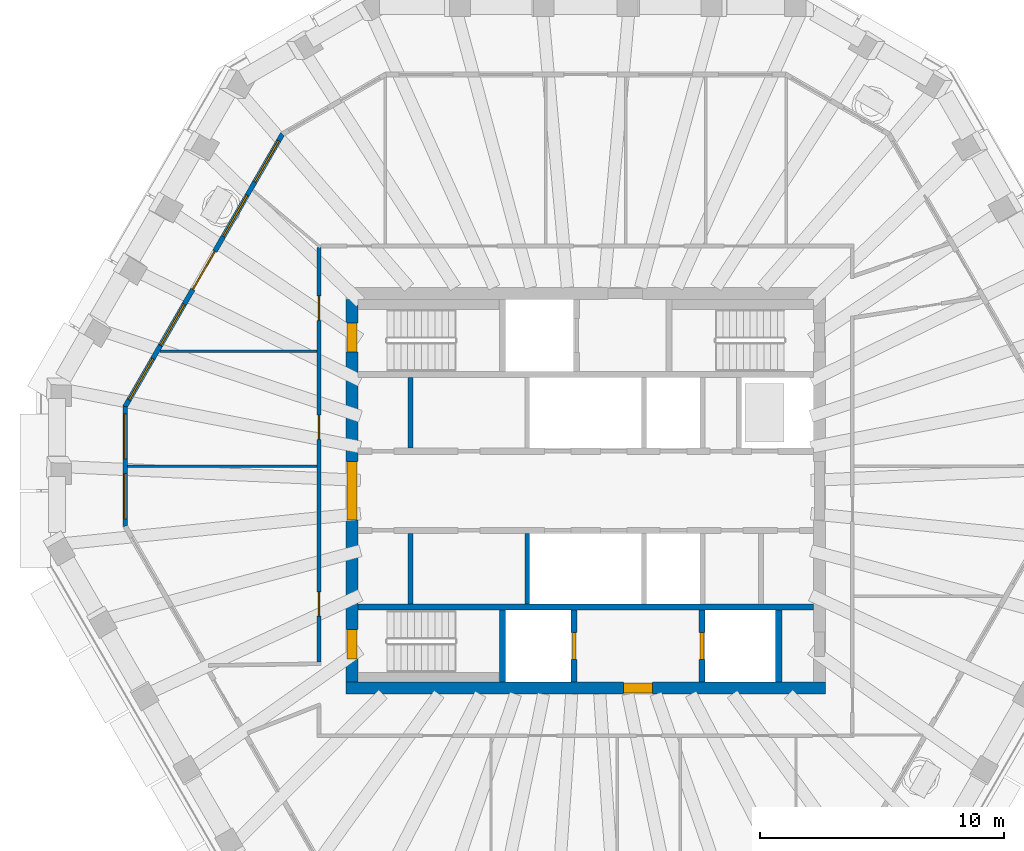
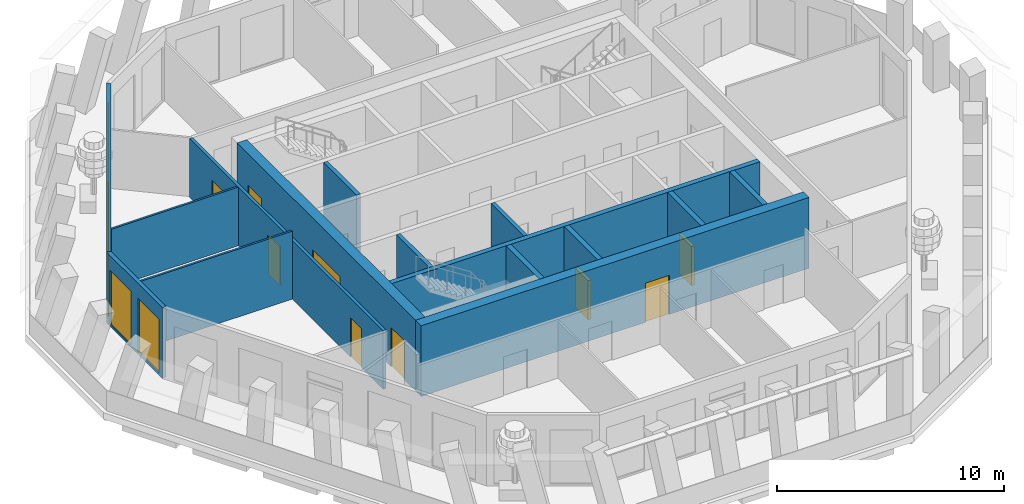
# One storey, part 4 of 11: 15 walls, 10 doors, 7 windows, 17 openings.
"""IFC4 building model written with IfcOpenShell, lengths in metres."""

from ifc_helpers import new_model, si_unit, direction, frame, frame_2d, origin, place, context, subcontext, project, spatial, polyline, rectangle, outline, extrude, material, layer, layer_set, type_object, element, fill, save


model = new_model("IFC4")

# Units and contexts
model_context = context("Model", 3, precision=1e-05, world=origin(), true_north=direction((0.0, 1.0)))
body_context = subcontext(model_context, "Body", "Model", "MODEL_VIEW")
ifc_project = project(units=[si_unit("LENGTHUNIT", "METRE"), si_unit("AREAUNIT", "SQUARE_METRE"), si_unit("VOLUMEUNIT", "CUBIC_METRE"), si_unit("PLANEANGLEUNIT", "RADIAN"), si_unit("MASSUNIT", "GRAM", prefix="KILO")], contexts=[model_context])

# Site, building, storey
site_placement = place(None, origin())
site = spatial("IfcSite", under=ifc_project, at=site_placement, CompositionType="ELEMENT")
building_placement = place(site_placement, origin())
building = spatial("IfcBuilding", under=site, at=building_placement, Name="Frailejon Research Tower", CompositionType="ELEMENT")
storey_placement = place(building_placement, frame((0.0, 0.0, 340.60009765625)))
storey = spatial("IfcBuildingStorey", under=building, at=storey_placement, Name="L76", CompositionType="ELEMENT", Elevation=340.60009765625)

# Wall, opening, door
ifc_material_1 = material(Name="Concrete C50/60", Category="concrete")
ifc_layer_1 = layer(ifc_material_1, 0.5)
ifc_layer_set_1 = layer_set([ifc_layer_1], Name="Core shear wall 500 C50/60")
wall_type_1 = type_object("IfcWallType", Name="Core shear wall 500 C50/60", PredefinedType="SHEAR", material=ifc_layer_set_1)
wall_1_placement = place(storey_placement, frame((-9.85009765625, -8.10009765625, 0.0), z_axis=(0.0, 0.0, 1.0), x_axis=(1.0, 0.0, 0.0)))
wall_1 = element("IfcWall", 1, at=wall_1_placement, inside=storey, type_object=wall_type_1, Name="Core shear wall", PredefinedType="SHEAR", context=body_context, shape_type="SweptSolid", body=[
    extrude(rectangle(XDim=19.7001953125, YDim=0.5, at=frame_2d((9.85009765625, 0.0))), origin(), (0.0, 0.0, 1.0), 3.7998046875),
])
opening_1_placement = place(wall_1_placement, frame((11.39990234375, 0.0, 0.0)))
opening_1 = element("IfcOpeningElement", 2, at=opening_1_placement, cuts=wall_1, Name="Opening D3", PredefinedType="OPENING", context=body_context, shape_type="SweptSolid", body=[
    extrude(rectangle(XDim=1.199951171875, YDim=2.10009765625, at=frame_2d((0.60009765625, 1.050048828125))), frame((0.0, 0.260009765625, 0.0), z_axis=(0.0, -1.0, 0.0), x_axis=(1.0, 0.0, 0.0)), (0.0, 0.0, 1.0), 0.52001953125),
])
ifc_material_2 = material(Name="Steel", Category="steel")
door_type_1 = type_object("IfcDoorType", Name="Firefighting lobby door", OperationType="SINGLE_SWING_LEFT", PredefinedType="DOOR", material=ifc_material_2)
door_1_placement = place(opening_1_placement, origin())
door_1 = element("IfcDoor", 3, at=door_1_placement, inside=storey, type_object=door_type_1, Name="Firefighting lobby door", OperationType="SINGLE_SWING_LEFT", OverallHeight=2.10009765625, OverallWidth=1.199951171875, PredefinedType="DOOR", context=body_context, shape_type="SweptSolid", body=[
    extrude(rectangle(XDim=1.199951171875, YDim=2.10009765625, at=frame_2d((0.60009765625, 1.050048828125))), frame((0.0, 0.199951171875, 0.0), z_axis=(0.0, -1.0, 0.0), x_axis=(1.0, 0.0, 0.0)), (0.0, 0.0, 1.0), 0.39990234375),
])
fill(opening_1, door_1)

# Wall, openings, doors
wall_2_placement = place(storey_placement, frame((-9.60009765625, -7.85009765625, 0.0), z_axis=(0.0, 0.0, 1.0), x_axis=(0.0, 1.0, 0.0)))
wall_2 = element("IfcWall", 4, at=wall_2_placement, inside=storey, type_object=wall_type_1, Name="Core shear wall", PredefinedType="SHEAR", context=body_context, shape_type="SweptSolid", body=[
    extrude(rectangle(XDim=15.7001953125, YDim=0.5, at=frame_2d((7.85009765625, 0.0))), origin(), (0.0, 0.0, 1.0), 3.7998046875),
])
opening_2_placement = place(wall_2_placement, frame((6.64990234375, 0.0, 0.0)))
opening_2 = element("IfcOpeningElement", 5, at=opening_2_placement, cuts=wall_2, Name="Opening D2", PredefinedType="OPENING", context=body_context, shape_type="SweptSolid", body=[
    extrude(rectangle(XDim=2.39990234375, YDim=2.10009765625, at=frame_2d((1.199951171875, 1.050048828125))), frame((0.0, 0.260009765625, 0.0), z_axis=(0.0, -1.0, 0.0), x_axis=(1.0, 0.0, 0.0)), (0.0, 0.0, 1.0), 0.52001953125),
])
opening_3_placement = place(wall_2_placement, frame((13.550048828125, 0.0, 0.0)))
opening_3 = element("IfcOpeningElement", 6, at=opening_3_placement, cuts=wall_2, Name="Opening D1", PredefinedType="OPENING", context=body_context, shape_type="SweptSolid", body=[
    extrude(rectangle(XDim=1.199951171875, YDim=2.10009765625, at=frame_2d((0.60009765625, 1.050048828125))), frame((0.0, 0.260009765625, 0.0), z_axis=(0.0, -1.0, 0.0), x_axis=(1.0, 0.0, 0.0)), (0.0, 0.0, 1.0), 0.52001953125),
])
opening_4_placement = place(wall_2_placement, frame((0.949951171875, 0.0, 0.0)))
opening_4 = element("IfcOpeningElement", 7, at=opening_4_placement, cuts=wall_2, Name="Opening D1", PredefinedType="OPENING", context=body_context, shape_type="SweptSolid", body=[
    extrude(rectangle(XDim=1.199951171875, YDim=2.10009765625, at=frame_2d((0.60009765625, 1.050048828125))), frame((0.0, 0.260009765625, 0.0), z_axis=(0.0, -1.0, 0.0), x_axis=(1.0, 0.0, 0.0)), (0.0, 0.0, 1.0), 0.52001953125),
])
ifc_material_3 = material(Name="Steel", Category="steel")
door_type_2 = type_object("IfcDoorType", Name="Lobby double door", OperationType="DOUBLE_DOOR_SINGLE_SWING", PredefinedType="DOOR", material=ifc_material_3)
door_2_placement = place(opening_2_placement, origin())
door_2 = element("IfcDoor", 8, at=door_2_placement, inside=storey, type_object=door_type_2, Name="Lobby door", OperationType="DOUBLE_DOOR_SINGLE_SWING", OverallHeight=2.10009765625, OverallWidth=2.39990234375, PredefinedType="DOOR", context=body_context, shape_type="SweptSolid", body=[
    extrude(rectangle(XDim=2.39990234375, YDim=2.10009765625, at=frame_2d((1.199951171875, 1.050048828125))), frame((0.0, 0.199951171875, 0.0), z_axis=(0.0, -1.0, 0.0), x_axis=(1.0, 0.0, 0.0)), (0.0, 0.0, 1.0), 0.39990234375),
])
fill(opening_2, door_2)
ifc_material_4 = material(Name="Steel", Category="steel")
door_type_3 = type_object("IfcDoorType", Name="Stair door", OperationType="SINGLE_SWING_LEFT", PredefinedType="DOOR", material=ifc_material_4)
door_3_placement = place(opening_3_placement, origin())
door_3 = element("IfcDoor", 9, at=door_3_placement, inside=storey, type_object=door_type_3, Name="Stair door ST1", OperationType="SINGLE_SWING_RIGHT", OverallHeight=2.10009765625, OverallWidth=1.199951171875, PredefinedType="DOOR", context=body_context, shape_type="SweptSolid", body=[
    extrude(rectangle(XDim=1.199951171875, YDim=2.10009765625, at=frame_2d((0.60009765625, 1.050048828125))), frame((0.0, 0.199951171875, 0.0), z_axis=(0.0, -1.0, 0.0), x_axis=(1.0, 0.0, 0.0)), (0.0, 0.0, 1.0), 0.39990234375),
])
fill(opening_3, door_3)
door_4_placement = place(opening_4_placement, origin())
door_4 = element("IfcDoor", 10, at=door_4_placement, inside=storey, type_object=door_type_3, Name="Stair door ST2", OperationType="SINGLE_SWING_LEFT", OverallHeight=2.10009765625, OverallWidth=1.199951171875, PredefinedType="DOOR", context=body_context, shape_type="SweptSolid", body=[
    extrude(rectangle(XDim=1.199951171875, YDim=2.10009765625, at=frame_2d((0.60009765625, 1.050048828125))), frame((0.0, 0.199951171875, 0.0), z_axis=(0.0, -1.0, 0.0), x_axis=(1.0, 0.0, 0.0)), (0.0, 0.0, 1.0), 0.39990234375),
])
fill(opening_4, door_4)

ifc_material_5 = material(Name="Gypsum board and masonry partition", Category="masonry")
ifc_layer_2 = layer(ifc_material_5, 0.14990234375)
ifc_layer_set_2 = layer_set([ifc_layer_2], Name="Corridor wall EI 60, gypsum on steel studs 150")
wall_type_2 = type_object("IfcWallType", Name="Corridor wall EI 60, gypsum on steel studs 150", PredefinedType="PARTITIONING", material=ifc_layer_set_2)
wall_3_placement = place(storey_placement, frame((-10.949951171875, -7.02490234375, 0.0), z_axis=(0.0, 0.0, 1.0), x_axis=(0.0, 1.0, 0.0)))
wall_3 = element("IfcWall", 11, at=wall_3_placement, inside=storey, type_object=wall_type_2, Name="T:IW:L76:007", PredefinedType="PARTITIONING", context=body_context, shape_type="SweptSolid", body=[
    extrude(rectangle(XDim=17.02490234375, YDim=0.14990234375, at=frame_2d((8.512451171875, 0.0))), origin(), (0.0, 0.0, 1.0), 3.14990234375),
])
opening_5_placement = place(wall_3_placement, frame((14.024658203125, 0.0, 0.0)))
opening_5 = element("IfcOpeningElement", 12, at=opening_5_placement, cuts=wall_3, Name="Opening D2421", PredefinedType="OPENING", context=body_context, shape_type="SweptSolid", body=[
    extrude(rectangle(XDim=1.0, YDim=2.10009765625, at=frame_2d((0.5, 1.050048828125))), frame((0.0, 0.0849609375, 0.0), z_axis=(0.0, -1.0, 0.0), x_axis=(1.0, 0.0, 0.0)), (0.0, 0.0, 1.0), 0.169921875),
])
opening_6_placement = place(wall_3_placement, frame((9.1376953125, 0.0, 0.0)))
opening_6 = element("IfcOpeningElement", 13, at=opening_6_placement, cuts=wall_3, Name="Opening D2422", PredefinedType="OPENING", context=body_context, shape_type="SweptSolid", body=[
    extrude(rectangle(XDim=1.0, YDim=2.10009765625, at=frame_2d((0.5, 1.050048828125))), frame((0.0, 0.0849609375, 0.0), z_axis=(0.0, -1.0, 0.0), x_axis=(1.0, 0.0, 0.0)), (0.0, 0.0, 1.0), 0.169921875),
])
opening_7_placement = place(wall_3_placement, frame((1.87646484375, 0.0, 0.0)))
opening_7 = element("IfcOpeningElement", 14, at=opening_7_placement, cuts=wall_3, Name="Opening D2423", PredefinedType="OPENING", context=body_context, shape_type="SweptSolid", body=[
    extrude(rectangle(XDim=1.0, YDim=2.10009765625, at=frame_2d((0.5, 1.050048828125))), frame((0.0, 0.0849609375, 0.0), z_axis=(0.0, -1.0, 0.0), x_axis=(1.0, 0.0, 0.0)), (0.0, 0.0, 1.0), 0.169921875),
])
ifc_material_6 = material(Name="Timber door leaf", Category="wood")
door_type_4 = type_object("IfcDoorType", Name="Door single leaf, timber, steel frame 1000", OperationType="NOTDEFINED", PredefinedType="DOOR", material=ifc_material_6)
door_5_placement = place(opening_5_placement, origin())
door_5 = element("IfcDoor", 15, at=door_5_placement, inside=storey, type_object=door_type_4, Name="D2421", OperationType="SINGLE_SWING_LEFT", OverallHeight=2.10009765625, OverallWidth=1.0, PredefinedType="DOOR", context=body_context, shape_type="SweptSolid", body=[
    extrude(rectangle(XDim=1.0, YDim=2.10009765625, at=frame_2d((0.5, 1.050048828125))), frame((0.0, 0.02490234375, 0.0), z_axis=(0.0, -1.0, 0.0), x_axis=(1.0, 0.0, 0.0)), (0.0, 0.0, 1.0), 0.050048828125),
])
fill(opening_5, door_5)
door_6_placement = place(opening_6_placement, origin())
door_6 = element("IfcDoor", 16, at=door_6_placement, inside=storey, type_object=door_type_4, Name="D2422", OperationType="SINGLE_SWING_LEFT", OverallHeight=2.10009765625, OverallWidth=1.0, PredefinedType="DOOR", context=body_context, shape_type="SweptSolid", body=[
    extrude(rectangle(XDim=1.0, YDim=2.10009765625, at=frame_2d((0.5, 1.050048828125))), frame((0.0, 0.02490234375, 0.0), z_axis=(0.0, -1.0, 0.0), x_axis=(1.0, 0.0, 0.0)), (0.0, 0.0, 1.0), 0.050048828125),
])
fill(opening_6, door_6)
door_7_placement = place(opening_7_placement, origin())
door_7 = element("IfcDoor", 17, at=door_7_placement, inside=storey, type_object=door_type_4, Name="D2423", OperationType="SINGLE_SWING_LEFT", OverallHeight=2.10009765625, OverallWidth=1.0, PredefinedType="DOOR", context=body_context, shape_type="SweptSolid", body=[
    extrude(rectangle(XDim=1.0, YDim=2.10009765625, at=frame_2d((0.5, 1.050048828125))), frame((0.0, 0.02490234375, 0.0), z_axis=(0.0, -1.0, 0.0), x_axis=(1.0, 0.0, 0.0)), (0.0, 0.0, 1.0), 0.050048828125),
])
fill(opening_7, door_7)

# Walls
ifc_material_7 = material(Name="Gypsum board and masonry partition", Category="masonry")
ifc_layer_3 = layer(ifc_material_7, 0.10009765625)
ifc_layer_set_3 = layer_set([ifc_layer_3], Name="Partition, gypsum on steel studs 100")
wall_type_3 = type_object("IfcWallType", Name="Partition, gypsum on steel studs 100", PredefinedType="PARTITIONING", material=ifc_layer_set_3)
wall_4_placement = place(storey_placement, frame((-18.80810546875, 1.005615234375, 0.0), z_axis=(0.0, 0.0, 1.0), x_axis=(1.0, 0.0, 0.0)))
element("IfcWall", 18, at=wall_4_placement, inside=storey, type_object=wall_type_3, Name="T:IW:L76:011", PredefinedType="PARTITIONING", context=body_context, shape_type="SweptSolid", body=[
    extrude(rectangle(XDim=7.783203125, YDim=0.10009765625, at=frame_2d((3.8916015625, 0.0))), origin(), (0.0, 0.0, 1.0), 3.64990234375),
])
wall_5_placement = place(storey_placement, frame((-17.480712890625, 5.734130859375, 0.0), z_axis=(0.0, 0.0, 1.0), x_axis=(1.0, 0.0, 0.0)))
element("IfcWall", 19, at=wall_5_placement, inside=storey, type_object=wall_type_3, Name="T:IW:L76:019", PredefinedType="PARTITIONING", context=body_context, shape_type="SweptSolid", body=[
    extrude(rectangle(XDim=6.455810546875, YDim=0.10009765625, at=frame_2d((3.22802734375, 0.0))), origin(), (0.0, 0.0, 1.0), 3.14990234375),
])
ifc_material_8 = material(Name="Concrete C50/60", Category="concrete")
ifc_layer_4 = layer(ifc_material_8, 0.199951171875)
ifc_layer_set_4 = layer_set([ifc_layer_4], Name="Shaft wall 200 C50/60")
wall_type_4 = type_object("IfcWallType", Name="Shaft wall 200 C50/60", PredefinedType="SOLIDWALL", material=ifc_layer_set_4)
for number, where, z_axis, x_axis, name in (
    (20, (-7.199951171875, 1.75, 0.0), (0.0, 0.0, 1.0), (0.0, 1.0, 0.0), "Shaft wall"),
    (21, (-7.199951171875, -4.64990234375, 0.0), (0.0, 0.0, 1.0), (0.0, 1.0, 0.0), "Shaft wall"),
    (22, (-2.39990234375, -4.64990234375, 0.0), (0.0, 0.0, 1.0), (0.0, 1.0, 0.0), "Shaft wall"),
):
    element("IfcWall", number, at=place(storey_placement, frame(where, z_axis=z_axis, x_axis=x_axis)), inside=storey, type_object=wall_type_4, Name=name, PredefinedType="SOLIDWALL", context=body_context, shape_type="SweptSolid", body=[
        extrude(rectangle(XDim=2.89990234375, YDim=0.199951171875, at=frame_2d((1.449951171875, 0.0))), origin(), (0.0, 0.0, 1.0), 3.7998046875),
    ])
ifc_material_9 = material(Name="Concrete C50/60", Category="concrete")
ifc_layer_5 = layer(ifc_material_9, 0.25)
ifc_layer_set_5 = layer_set([ifc_layer_5], Name="Shaft wall 250 C50/60")
wall_type_5 = type_object("IfcWallType", Name="Shaft wall 250 C50/60", PredefinedType="SOLIDWALL", material=ifc_layer_set_5)
wall_6_placement = place(storey_placement, frame((-9.35009765625, -4.77490234375, 0.0), z_axis=(0.0, 0.0, 1.0), x_axis=(1.0, 0.0, 0.0)))
element("IfcWall", 23, at=wall_6_placement, inside=storey, type_object=wall_type_5, Name="Shaft wall", PredefinedType="SOLIDWALL", context=body_context, shape_type="SweptSolid", body=[
    extrude(rectangle(XDim=18.7001953125, YDim=0.25, at=frame_2d((9.35009765625, 0.0))), origin(), (0.0, 0.0, 1.0), 3.7998046875),
])
wall_7_placement = place(storey_placement, frame((-3.425048828125, -7.85009765625, 0.0), z_axis=(0.0, 0.0, 1.0), x_axis=(0.0, 1.0, 0.0)))
element("IfcWall", 24, at=wall_7_placement, inside=storey, type_object=wall_type_5, Name="Shaft wall", PredefinedType="SOLIDWALL", context=body_context, shape_type="SweptSolid", body=[
    extrude(rectangle(XDim=2.9501953125, YDim=0.25, at=frame_2d((1.47509765625, 0.0))), origin(), (0.0, 0.0, 1.0), 3.7998046875),
])

# Wall, opening, door
wall_8_placement = place(storey_placement, frame((-0.47509765625, -7.85009765625, 0.0), z_axis=(0.0, 0.0, 1.0), x_axis=(0.0, 1.0, 0.0)))
wall_8 = element("IfcWall", 25, at=wall_8_placement, inside=storey, type_object=wall_type_5, Name="Shaft wall", PredefinedType="SOLIDWALL", context=body_context, shape_type="SweptSolid", body=[
    extrude(rectangle(XDim=2.9501953125, YDim=0.25, at=frame_2d((1.47509765625, 0.0))), origin(), (0.0, 0.0, 1.0), 3.7998046875),
])
opening_8_placement = place(wall_8_placement, frame((0.925048828125, 0.0, 0.0)))
opening_8 = element("IfcOpeningElement", 26, at=opening_8_placement, cuts=wall_8, Name="Opening LD", PredefinedType="OPENING", context=body_context, shape_type="SweptSolid", body=[
    extrude(rectangle(XDim=1.10009765625, YDim=2.10009765625, at=frame_2d((0.550048828125, 1.050048828125))), frame((0.0, 0.135009765625, 0.0), z_axis=(0.0, -1.0, 0.0), x_axis=(1.0, 0.0, 0.0)), (0.0, 0.0, 1.0), 0.27001953125),
])
ifc_material_10 = material(Name="Steel", Category="steel")
door_type_5 = type_object("IfcDoorType", Name="Lift landing door", OperationType="DOUBLE_DOOR_SLIDING", PredefinedType="DOOR", material=ifc_material_10)
door_8_placement = place(opening_8_placement, origin())
door_8 = element("IfcDoor", 27, at=door_8_placement, inside=storey, type_object=door_type_5, Name="Lift landing door", OperationType="DOUBLE_DOOR_SLIDING", OverallHeight=2.10009765625, OverallWidth=1.10009765625, PredefinedType="DOOR", context=body_context, shape_type="SweptSolid", body=[
    extrude(rectangle(XDim=1.10009765625, YDim=2.10009765625, at=frame_2d((0.550048828125, 1.050048828125))), frame((0.0, 0.074951171875, 0.0), z_axis=(0.0, -1.0, 0.0), x_axis=(1.0, 0.0, 0.0)), (0.0, 0.0, 1.0), 0.14990234375),
])
fill(opening_8, door_8)

wall_9_placement = place(storey_placement, frame((4.77490234375, -7.85009765625, 0.0), z_axis=(0.0, 0.0, 1.0), x_axis=(0.0, 1.0, 0.0)))
wall_9 = element("IfcWall", 28, at=wall_9_placement, inside=storey, type_object=wall_type_5, Name="Shaft wall", PredefinedType="SOLIDWALL", context=body_context, shape_type="SweptSolid", body=[
    extrude(rectangle(XDim=2.9501953125, YDim=0.25, at=frame_2d((1.47509765625, 0.0))), origin(), (0.0, 0.0, 1.0), 3.7998046875),
])
opening_9_placement = place(wall_9_placement, frame((0.925048828125, 0.0, 0.0)))
opening_9 = element("IfcOpeningElement", 29, at=opening_9_placement, cuts=wall_9, Name="Opening LD", PredefinedType="OPENING", context=body_context, shape_type="SweptSolid", body=[
    extrude(rectangle(XDim=1.10009765625, YDim=2.10009765625, at=frame_2d((0.550048828125, 1.050048828125))), frame((0.0, 0.135009765625, 0.0), z_axis=(0.0, -1.0, 0.0), x_axis=(1.0, 0.0, 0.0)), (0.0, 0.0, 1.0), 0.27001953125),
])
door_9_placement = place(opening_9_placement, origin())
door_9 = element("IfcDoor", 30, at=door_9_placement, inside=storey, type_object=door_type_5, Name="Lift landing door", OperationType="DOUBLE_DOOR_SLIDING", OverallHeight=2.10009765625, OverallWidth=1.10009765625, PredefinedType="DOOR", context=body_context, shape_type="SweptSolid", body=[
    extrude(rectangle(XDim=1.10009765625, YDim=2.10009765625, at=frame_2d((0.550048828125, 1.050048828125))), frame((0.0, 0.074951171875, 0.0), z_axis=(0.0, -1.0, 0.0), x_axis=(1.0, 0.0, 0.0)), (0.0, 0.0, 1.0), 0.14990234375),
])
fill(opening_9, door_9)

# Wall
wall_10_placement = place(storey_placement, frame((7.925048828125, -7.85009765625, 0.0), z_axis=(0.0, 0.0, 1.0), x_axis=(0.0, 1.0, 0.0)))
element("IfcWall", 31, at=wall_10_placement, inside=storey, type_object=wall_type_5, Name="Shaft wall", PredefinedType="SOLIDWALL", context=body_context, shape_type="SweptSolid", body=[
    extrude(rectangle(XDim=2.9501953125, YDim=0.25, at=frame_2d((1.47509765625, 0.0))), origin(), (0.0, 0.0, 1.0), 3.7998046875),
])

# Wall, openings, door, windows
ifc_material_11 = material(Name="Concrete C40/50 precast window wall panel", Category="concrete")
ifc_layer_6 = layer(ifc_material_11, 0.199951171875)
ifc_layer_set_6 = layer_set([ifc_layer_6], Name="Window wall 200")
wall_type_6 = type_object("IfcWallType", Name="Window wall 200", PredefinedType="SOLIDWALL", material=ifc_layer_set_6)
wall_11_placement = place(storey_placement, frame((-12.451904296875, 14.644287109375, 0.0), z_axis=(0.0, 0.0, 1.0), x_axis=(-0.499992497538, -0.86602973529, 0.0)))
wall_11 = element("IfcWall", 32, at=wall_11_placement, inside=storey, type_object=wall_type_6, Name="Exterior wall L76", PredefinedType="SOLIDWALL", context=body_context, shape_type="SweptSolid", body=[
    extrude(outline(polyline([(-0.02685546875, -0.10009765625), (1.0537109375, -0.10009765625), (2.13427734375, -0.10009765625), (3.21484375, -0.10009765625), (4.29541015625, -0.10009765625), (5.3759765625, -0.10009765625), (6.45654296875, -0.10009765625), (7.536865234375, -0.10009765625), (8.617431640625, -0.10009765625), (9.697998046875, -0.10009765625), (10.778564453125, -0.10009765625), (11.859130859375, -0.10009765625), (12.939697265625, -0.10009765625), (12.885986328125, 0.10009765625), (11.814453125, 0.10009765625), (10.74267578125, 0.10009765625), (9.671142578125, 0.10009765625), (8.599609375, 0.10009765625), (7.528076171875, 0.10009765625), (6.45654296875, 0.10009765625), (5.384765625, 0.10009765625), (4.313232421875, 0.10009765625), (3.24169921875, 0.10009765625), (2.169921875, 0.10009765625), (1.098388671875, 0.10009765625), (0.02685546875, 0.10009765625), (-0.02685546875, -0.10009765625)])), origin(), (0.0, 0.0, 1.0), 3.7998046875),
])
opening_10_placement = place(wall_11_placement, frame((0.31640625, 0.0, 0.10009765625)))
opening_10 = element("IfcOpeningElement", 33, at=opening_10_placement, cuts=wall_11, Name="Opening W27", PredefinedType="OPENING", context=body_context, shape_type="SweptSolid", body=[
    extrude(rectangle(XDim=1.949951171875, YDim=2.89990234375, at=frame_2d((0.97509765625, 1.449951171875))), frame((0.0, 0.10986328125, 0.0), z_axis=(0.0, -1.0, 0.0), x_axis=(1.0, 0.0, 0.0)), (0.0, 0.0, 1.0), 0.219970703125),
])
opening_11_placement = place(wall_11_placement, frame((2.898681640625, 0.0, 0.10009765625)))
opening_11 = element("IfcOpeningElement", 34, at=opening_11_placement, cuts=wall_11, Name="Opening W27", PredefinedType="OPENING", context=body_context, shape_type="SweptSolid", body=[
    extrude(rectangle(XDim=1.949951171875, YDim=2.89990234375, at=frame_2d((0.97509765625, 1.449951171875))), frame((0.0, 0.10986328125, 0.0), z_axis=(0.0, -1.0, 0.0), x_axis=(1.0, 0.0, 0.0)), (0.0, 0.0, 1.0), 0.219970703125),
])
opening_12_placement = place(wall_11_placement, frame((5.556396484375, 0.0, 0.0)))
opening_12 = element("IfcOpeningElement", 35, at=opening_12_placement, cuts=wall_11, Name="Opening LG76-3", PredefinedType="OPENING", context=body_context, shape_type="SweptSolid", body=[
    extrude(rectangle(XDim=1.800048828125, YDim=2.39990234375, at=frame_2d((0.89990234375, 1.199951171875))), frame((0.0, 0.10986328125, 0.0), z_axis=(0.0, -1.0, 0.0), x_axis=(1.0, 0.0, 0.0)), (0.0, 0.0, 1.0), 0.219970703125),
])
opening_13_placement = place(wall_11_placement, frame((5.556396484375, 0.0, 2.550048828125)))
opening_13 = element("IfcOpeningElement", 36, at=opening_13_placement, cuts=wall_11, Name="Opening W1", PredefinedType="OPENING", context=body_context, shape_type="SweptSolid", body=[
    extrude(rectangle(XDim=1.800048828125, YDim=0.449951171875, at=frame_2d((0.89990234375, 0.22509765625))), frame((0.0, 0.10986328125, 0.0), z_axis=(0.0, -1.0, 0.0), x_axis=(1.0, 0.0, 0.0)), (0.0, 0.0, 1.0), 0.219970703125),
])
opening_14_placement = place(wall_11_placement, frame((8.06396484375, 0.0, 0.10009765625)))
opening_14 = element("IfcOpeningElement", 37, at=opening_14_placement, cuts=wall_11, Name="Opening W27", PredefinedType="OPENING", context=body_context, shape_type="SweptSolid", body=[
    extrude(rectangle(XDim=1.949951171875, YDim=2.89990234375, at=frame_2d((0.97509765625, 1.449951171875))), frame((0.0, 0.10986328125, 0.0), z_axis=(0.0, -1.0, 0.0), x_axis=(1.0, 0.0, 0.0)), (0.0, 0.0, 1.0), 0.219970703125),
])
opening_15_placement = place(wall_11_placement, frame((10.646484375, 0.0, 0.10009765625)))
opening_15 = element("IfcOpeningElement", 38, at=opening_15_placement, cuts=wall_11, Name="Opening W27", PredefinedType="OPENING", context=body_context, shape_type="SweptSolid", body=[
    extrude(rectangle(XDim=1.949951171875, YDim=2.89990234375, at=frame_2d((0.97509765625, 1.449951171875))), frame((0.0, 0.10986328125, 0.0), z_axis=(0.0, -1.0, 0.0), x_axis=(1.0, 0.0, 0.0)), (0.0, 0.0, 1.0), 0.219970703125),
])
ifc_material_12 = material(Name="Aluminium framed glazed door leaf", Category="aluminium")
door_type_6 = type_object("IfcDoorType", Name="Loggia door 1800x2400", OperationType="DOUBLE_DOOR_SINGLE_SWING", PredefinedType="DOOR", material=ifc_material_12)
door_10_placement = place(opening_12_placement, origin())
door_10 = element("IfcDoor", 39, at=door_10_placement, inside=storey, type_object=door_type_6, Name="Door LG76-3", OperationType="DOUBLE_DOOR_SINGLE_SWING", OverallHeight=2.39990234375, OverallWidth=1.800048828125, PredefinedType="DOOR", context=body_context, shape_type="SweptSolid", body=[
    extrude(rectangle(XDim=1.800048828125, YDim=2.39990234375, at=frame_2d((0.89990234375, 1.199951171875))), frame((0.0, 0.02490234375, 0.0), z_axis=(0.0, -1.0, 0.0), x_axis=(1.0, 0.0, 0.0)), (0.0, 0.0, 1.0), 0.050048828125),
])
fill(opening_12, door_10)
ifc_material_13 = material(Name="Aluminium framed double glazing", Category="aluminium")
window_type_1 = type_object("IfcWindowType", Name="Window 1800x450", PartitioningType="SINGLE_PANEL", PredefinedType="WINDOW", material=ifc_material_13)
window_1_placement = place(opening_13_placement, origin())
window_1 = element("IfcWindow", 40, at=window_1_placement, inside=storey, type_object=window_type_1, Name="Window L76", OverallHeight=0.449951171875, OverallWidth=1.800048828125, PartitioningType="SINGLE_PANEL", PredefinedType="WINDOW", context=body_context, shape_type="SweptSolid", body=[
    extrude(rectangle(XDim=1.800048828125, YDim=0.449951171875, at=frame_2d((0.89990234375, 0.22509765625))), frame((0.0, 0.030029296875, 0.0), z_axis=(0.0, -1.0, 0.0), x_axis=(1.0, 0.0, 0.0)), (0.0, 0.0, 1.0), 0.06005859375),
])
fill(opening_13, window_1)
ifc_material_14 = material(Name="Aluminium framed double glazing", Category="aluminium")
window_type_2 = type_object("IfcWindowType", Name="Window 1950x2900", PartitioningType="SINGLE_PANEL", PredefinedType="WINDOW", material=ifc_material_14)
window_2_placement = place(opening_10_placement, origin())
window_2 = element("IfcWindow", 41, at=window_2_placement, inside=storey, type_object=window_type_2, Name="Window L76", OverallHeight=2.89990234375, OverallWidth=1.949951171875, PartitioningType="SINGLE_PANEL", PredefinedType="WINDOW", context=body_context, shape_type="SweptSolid", body=[
    extrude(rectangle(XDim=1.949951171875, YDim=2.89990234375, at=frame_2d((0.97509765625, 1.449951171875))), frame((0.0, 0.030029296875, 0.0), z_axis=(0.0, -1.0, 0.0), x_axis=(1.0, 0.0, 0.0)), (0.0, 0.0, 1.0), 0.06005859375),
])
fill(opening_10, window_2)
window_3_placement = place(opening_11_placement, origin())
window_3 = element("IfcWindow", 42, at=window_3_placement, inside=storey, type_object=window_type_2, Name="Window L76", OverallHeight=2.89990234375, OverallWidth=1.949951171875, PartitioningType="SINGLE_PANEL", PredefinedType="WINDOW", context=body_context, shape_type="SweptSolid", body=[
    extrude(rectangle(XDim=1.949951171875, YDim=2.89990234375, at=frame_2d((0.97509765625, 1.449951171875))), frame((0.0, 0.030029296875, 0.0), z_axis=(0.0, -1.0, 0.0), x_axis=(1.0, 0.0, 0.0)), (0.0, 0.0, 1.0), 0.06005859375),
])
fill(opening_11, window_3)
window_4_placement = place(opening_14_placement, origin())
window_4 = element("IfcWindow", 43, at=window_4_placement, inside=storey, type_object=window_type_2, Name="Window L76", OverallHeight=2.89990234375, OverallWidth=1.949951171875, PartitioningType="SINGLE_PANEL", PredefinedType="WINDOW", context=body_context, shape_type="SweptSolid", body=[
    extrude(rectangle(XDim=1.949951171875, YDim=2.89990234375, at=frame_2d((0.97509765625, 1.449951171875))), frame((0.0, 0.030029296875, 0.0), z_axis=(0.0, -1.0, 0.0), x_axis=(1.0, 0.0, 0.0)), (0.0, 0.0, 1.0), 0.06005859375),
])
fill(opening_14, window_4)
window_5_placement = place(opening_15_placement, origin())
window_5 = element("IfcWindow", 44, at=window_5_placement, inside=storey, type_object=window_type_2, Name="Window L76", OverallHeight=2.89990234375, OverallWidth=1.949951171875, PartitioningType="SINGLE_PANEL", PredefinedType="WINDOW", context=body_context, shape_type="SweptSolid", body=[
    extrude(rectangle(XDim=1.949951171875, YDim=2.89990234375, at=frame_2d((0.97509765625, 1.449951171875))), frame((0.0, 0.030029296875, 0.0), z_axis=(0.0, -1.0, 0.0), x_axis=(1.0, 0.0, 0.0)), (0.0, 0.0, 1.0), 0.06005859375),
])
fill(opening_15, window_5)

# Wall, openings, windows
wall_12_placement = place(storey_placement, frame((-18.908203125, 3.46142578125, 0.0), z_axis=(0.0, 0.0, 1.0), x_axis=(0.0, -1.0, 0.0)))
wall_12 = element("IfcWall", 45, at=wall_12_placement, inside=storey, type_object=wall_type_6, Name="Exterior wall L76", PredefinedType="SOLIDWALL", context=body_context, shape_type="SweptSolid", body=[
    extrude(outline(polyline([(-0.02685546875, -0.10009765625), (1.21435546875, -0.10009765625), (2.455810546875, -0.10009765625), (3.697265625, -0.10009765625), (4.9384765625, -0.10009765625), (4.884765625, 0.10009765625), (3.67041015625, 0.10009765625), (2.455810546875, 0.10009765625), (1.2412109375, 0.10009765625), (0.02685546875, 0.10009765625), (-0.02685546875, -0.10009765625)])), origin(), (0.0, 0.0, 1.0), 3.7998046875),
])
opening_16_placement = place(wall_12_placement, frame((0.302978515625, 0.0, 0.10009765625)))
opening_16 = element("IfcOpeningElement", 46, at=opening_16_placement, cuts=wall_12, Name="Opening W26", PredefinedType="OPENING", context=body_context, shape_type="SweptSolid", body=[
    extrude(rectangle(XDim=1.85009765625, YDim=2.89990234375, at=frame_2d((0.925048828125, 1.449951171875))), frame((0.0, 0.10986328125, 0.0), z_axis=(0.0, -1.0, 0.0), x_axis=(1.0, 0.0, 0.0)), (0.0, 0.0, 1.0), 0.219970703125),
])
opening_17_placement = place(wall_12_placement, frame((2.7587890625, 0.0, 0.10009765625)))
opening_17 = element("IfcOpeningElement", 47, at=opening_17_placement, cuts=wall_12, Name="Opening W26", PredefinedType="OPENING", context=body_context, shape_type="SweptSolid", body=[
    extrude(rectangle(XDim=1.85009765625, YDim=2.89990234375, at=frame_2d((0.925048828125, 1.449951171875))), frame((0.0, 0.10986328125, 0.0), z_axis=(0.0, -1.0, 0.0), x_axis=(1.0, 0.0, 0.0)), (0.0, 0.0, 1.0), 0.219970703125),
])
ifc_material_15 = material(Name="Aluminium framed double glazing", Category="aluminium")
window_type_3 = type_object("IfcWindowType", Name="Window 1850x2900", PartitioningType="SINGLE_PANEL", PredefinedType="WINDOW", material=ifc_material_15)
window_6_placement = place(opening_16_placement, origin())
window_6 = element("IfcWindow", 48, at=window_6_placement, inside=storey, type_object=window_type_3, Name="Window L76", OverallHeight=2.89990234375, OverallWidth=1.85009765625, PartitioningType="SINGLE_PANEL", PredefinedType="WINDOW", context=body_context, shape_type="SweptSolid", body=[
    extrude(rectangle(XDim=1.85009765625, YDim=2.89990234375, at=frame_2d((0.925048828125, 1.449951171875))), frame((0.0, 0.030029296875, 0.0), z_axis=(0.0, -1.0, 0.0), x_axis=(1.0, 0.0, 0.0)), (0.0, 0.0, 1.0), 0.06005859375),
])
fill(opening_16, window_6)
window_7_placement = place(opening_17_placement, origin())
window_7 = element("IfcWindow", 49, at=window_7_placement, inside=storey, type_object=window_type_3, Name="Window L76", OverallHeight=2.89990234375, OverallWidth=1.85009765625, PartitioningType="SINGLE_PANEL", PredefinedType="WINDOW", context=body_context, shape_type="SweptSolid", body=[
    extrude(rectangle(XDim=1.85009765625, YDim=2.89990234375, at=frame_2d((0.925048828125, 1.449951171875))), frame((0.0, 0.030029296875, 0.0), z_axis=(0.0, -1.0, 0.0), x_axis=(1.0, 0.0, 0.0)), (0.0, 0.0, 1.0), 0.06005859375),
])
fill(opening_17, window_7)

save(model, "model.ifc")
